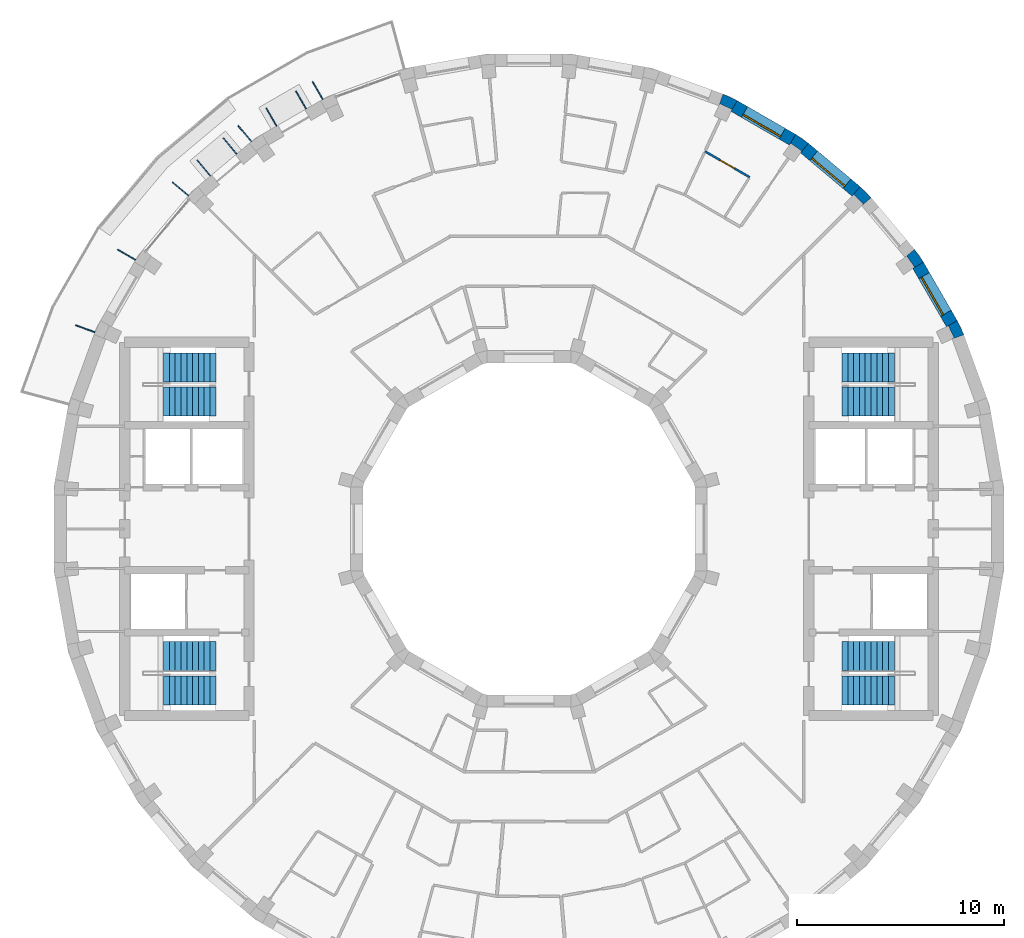
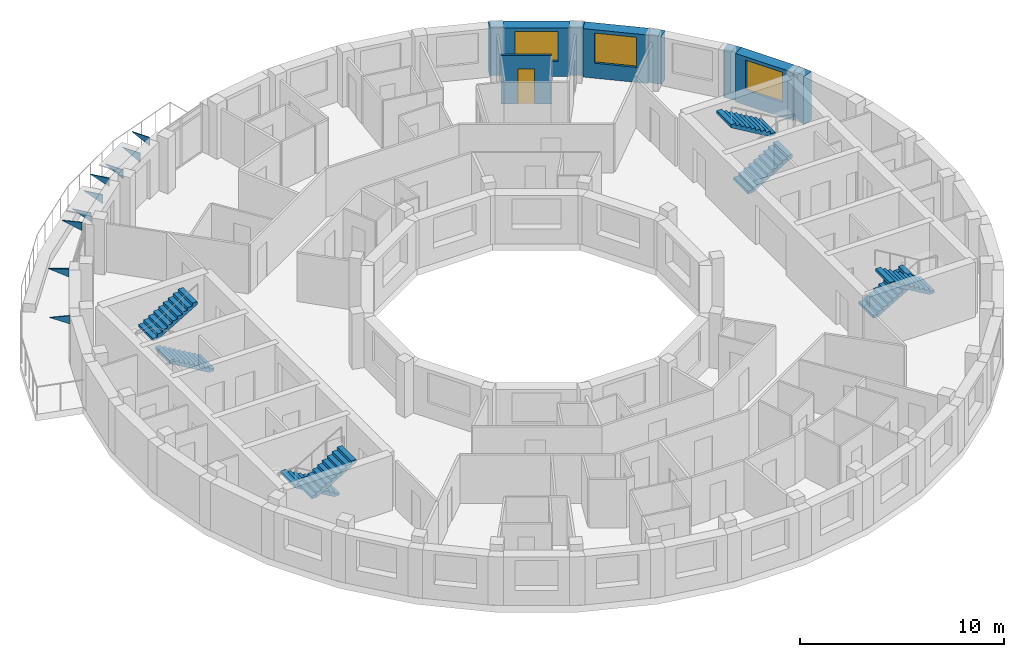
# One storey, part 11 of 12: 9 discrete accessories, 9 walls, 8 stair flights, 3 windows, 1 door, 4 openings, 4 elements without a shape of their own.
"""IFC4 building model written with IfcOpenShell, lengths in metres."""

from ifc_helpers import new_model, si_unit, direction, frame, frame_2d, origin, place, context, subcontext, project, spatial, polyline, rectangle, outline, extrude, material, layer, layer_set, type_object, element, fill, aggregate, save


model = new_model("IFC4")

# Units and contexts
model_context = context("Model", 3, precision=1e-05, world=origin(), true_north=direction((0.0, 1.0)))
body_context = subcontext(model_context, "Body", "Model", "MODEL_VIEW")
ifc_project = project(units=[si_unit("LENGTHUNIT", "METRE"), si_unit("AREAUNIT", "SQUARE_METRE"), si_unit("VOLUMEUNIT", "CUBIC_METRE"), si_unit("PLANEANGLEUNIT", "RADIAN"), si_unit("MASSUNIT", "GRAM", prefix="KILO")], contexts=[model_context])

# Site, building, storey
site_placement = place(None, origin())
site = spatial("IfcSite", under=ifc_project, at=site_placement, CompositionType="ELEMENT")
building_placement = place(site_placement, origin())
building = spatial("IfcBuilding", under=site, at=building_placement, Name="Saqina Gate Tower", CompositionType="ELEMENT")
storey_placement = place(building_placement, frame((0.0, 0.0, 229.699951171875)))
storey = spatial("IfcBuildingStorey", under=building, at=storey_placement, Name="L65", CompositionType="ELEMENT", Elevation=229.699951171875)

# Walls
ifc_material_1 = material(Name="Brick masonry (buff)", Category="masonry")
wall_type_1 = type_object("IfcWallType", Name="BRICK PIER COPING BUFF", PredefinedType="SOLIDWALL", material=ifc_material_1)
wall_1_placement = place(storey_placement, origin())
element("IfcWall", 1, at=wall_1_placement, inside=storey, type_object=wall_type_1, Name="Pier cap L65 column 3", PredefinedType="SOLIDWALL", context=body_context, shape_type="SweptSolid", body=[
    extrude(outline(polyline([(20.974609375, 9.3642578125), (20.65576171875, 10.048095703125), (20.135986328125, 9.748291015625), (20.23193359375, 9.79296875), (20.506591796875, 9.203857421875), (20.410888671875, 9.1591796875), (20.974609375, 9.3642578125)])), origin(), (0.0, 0.0, 1.0), 2.900146484375),
])
wall_2_placement = place(storey_placement, origin())
element("IfcWall", 2, at=wall_2_placement, inside=storey, type_object=wall_type_1, Name="Pier cap L65 column 4", PredefinedType="SOLIDWALL", context=body_context, shape_type="SweptSolid", body=[
    extrude(outline(polyline([(19.02978515625, 12.8642578125), (18.59716796875, 13.482421875), (18.137451171875, 13.0966796875), (18.22412109375, 13.157470703125), (18.596923828125, 12.625), (18.51025390625, 12.564208984375), (19.02978515625, 12.8642578125)])), origin(), (0.0, 0.0, 1.0), 2.900146484375),
])
wall_3_placement = place(storey_placement, origin())
element("IfcWall", 3, at=wall_3_placement, inside=storey, type_object=wall_type_1, Name="Pier cap L65 column 5", PredefinedType="SOLIDWALL", context=body_context, shape_type="SweptSolid", body=[
    extrude(outline(polyline([(15.973388671875, 16.5068359375), (15.587646484375, 16.04736328125), (15.662353515625, 16.1220703125), (16.1220703125, 15.662353515625), (16.04736328125, 15.587646484375), (16.5068359375, 15.973388671875), (15.973388671875, 16.5068359375)])), origin(), (0.0, 0.0, 1.0), 2.900146484375),
])
wall_4_placement = place(storey_placement, origin())
element("IfcWall", 4, at=wall_4_placement, inside=storey, type_object=wall_type_1, Name="Pier cap L65 column 6", PredefinedType="SOLIDWALL", context=body_context, shape_type="SweptSolid", body=[
    extrude(outline(polyline([(12.8642578125, 19.02978515625), (12.564208984375, 18.51025390625), (12.625, 18.596923828125), (13.157470703125, 18.22412109375), (13.0966796875, 18.137451171875), (13.482421875, 18.59716796875), (12.8642578125, 19.02978515625)])), origin(), (0.0, 0.0, 1.0), 2.900146484375),
])
wall_5_placement = place(storey_placement, origin())
element("IfcWall", 5, at=wall_5_placement, inside=storey, type_object=wall_type_1, Name="Pier cap L65 column 7", PredefinedType="SOLIDWALL", context=body_context, shape_type="SweptSolid", body=[
    extrude(outline(polyline([(10.048095703125, 20.65576171875), (9.3642578125, 20.974609375), (9.1591796875, 20.410888671875), (9.203857421875, 20.506591796875), (9.79296875, 20.23193359375), (9.748291015625, 20.135986328125), (10.048095703125, 20.65576171875)])), origin(), (0.0, 0.0, 1.0), 2.900146484375),
])

# Wall, opening, window
ifc_material_2 = material(Name="Brick masonry (buff)", Category="masonry")
ifc_layer_1 = layer(ifc_material_2, 0.60009765625)
ifc_layer_set_1 = layer_set([ifc_layer_1], Name="FW-BRICK-BUFF")
wall_type_2 = type_object("IfcWallType", Name="FW-BRICK-BUFF", PredefinedType="SOLIDWALL", material=ifc_layer_set_1)
wall_6_placement = place(storey_placement, frame((20.39599609375, 9.898193359375, 0.0), z_axis=(0.0, 0.0, 1.0), x_axis=(-0.500014901547, 0.866016800201, 0.0)))
wall_6 = element("IfcWall", 6, at=wall_6_placement, inside=storey, type_object=wall_type_2, Name="Facade wall L65 facet 3", PredefinedType="SOLIDWALL", context=body_context, shape_type="SweptSolid", body=[
    extrude(rectangle(XDim=3.251953125, YDim=0.60009765625, at=frame_2d((1.6259765625, 0.0))), origin(), (0.0, 0.0, 1.0), 2.900146484375),
])
opening_1_placement = place(wall_6_placement, frame((0.57568359375, 0.0, 0.89990234375)))
opening_1 = element("IfcOpeningElement", 7, at=opening_1_placement, cuts=wall_6, Name="Opening G19-W01", PredefinedType="OPENING", context=body_context, shape_type="SweptSolid", body=[
    extrude(rectangle(XDim=2.10009765625, YDim=1.800048828125, at=frame_2d((1.050048828125, 0.89990234375))), frame((0.0, 0.31201171875, 0.0), z_axis=(0.0, -1.0, 0.0), x_axis=(1.0, 0.0, 0.0)), (0.0, 0.0, 1.0), 0.6240234375),
])
ifc_material_3 = material(Name="Aluminium glazing", Category="aluminium")
window_type = type_object("IfcWindowType", Name="WN-D", PartitioningType="SINGLE_PANEL", PredefinedType="WINDOW", material=ifc_material_3)
window_1_placement = place(opening_1_placement, origin())
window_1 = element("IfcWindow", 8, at=window_1_placement, inside=storey, type_object=window_type, Name="Window L65 facet 3", OverallHeight=1.800048828125, OverallWidth=2.10009765625, PartitioningType="SINGLE_PANEL", PredefinedType="WINDOW", context=body_context, shape_type="SweptSolid", body=[
    extrude(rectangle(XDim=2.10009765625, YDim=1.800048828125, at=frame_2d((1.050048828125, 0.89990234375))), frame((0.0, 0.179931640625, 0.0), z_axis=(0.0, -1.0, 0.0), x_axis=(1.0, 0.0, 0.0)), (0.0, 0.0, 1.0), 0.06005859375),
])
fill(opening_1, window_1)

wall_7_placement = place(storey_placement, frame((15.780517578125, 16.277099609375, 0.0), z_axis=(0.0, 0.0, 1.0), x_axis=(-0.766056773982, 0.64277291405, 0.0)))
wall_7 = element("IfcWall", 9, at=wall_7_placement, inside=storey, type_object=wall_type_2, Name="Facade wall L65 facet 5", PredefinedType="SOLIDWALL", context=body_context, shape_type="SweptSolid", body=[
    extrude(rectangle(XDim=3.251708984375, YDim=0.60009765625, at=frame_2d((1.6259765625, 0.0))), origin(), (0.0, 0.0, 1.0), 2.900146484375),
])
opening_2_placement = place(wall_7_placement, frame((0.57568359375, 0.0, 0.89990234375)))
opening_2 = element("IfcOpeningElement", 10, at=opening_2_placement, cuts=wall_7, Name="Opening G19-W03", PredefinedType="OPENING", context=body_context, shape_type="SweptSolid", body=[
    extrude(rectangle(XDim=2.10009765625, YDim=1.800048828125, at=frame_2d((1.050048828125, 0.89990234375))), frame((0.0, 0.31201171875, 0.0), z_axis=(0.0, -1.0, 0.0), x_axis=(1.0, 0.0, 0.0)), (0.0, 0.0, 1.0), 0.6240234375),
])
window_2_placement = place(opening_2_placement, origin())
window_2 = element("IfcWindow", 11, at=window_2_placement, inside=storey, type_object=window_type, Name="Window L65 facet 5", OverallHeight=1.800048828125, OverallWidth=2.10009765625, PartitioningType="SINGLE_PANEL", PredefinedType="WINDOW", context=body_context, shape_type="SweptSolid", body=[
    extrude(rectangle(XDim=2.10009765625, YDim=1.800048828125, at=frame_2d((1.050048828125, 0.89990234375))), frame((0.0, 0.179931640625, 0.0), z_axis=(0.0, -1.0, 0.0), x_axis=(1.0, 0.0, 0.0)), (0.0, 0.0, 1.0), 0.06005859375),
])
fill(opening_2, window_2)

wall_8_placement = place(storey_placement, frame((12.71435546875, 18.77001953125, 0.0), z_axis=(0.0, 0.0, 1.0), x_axis=(-0.866016800201, 0.500014901547, 0.0)))
wall_8 = element("IfcWall", 12, at=wall_8_placement, inside=storey, type_object=wall_type_2, Name="Facade wall L65 facet 6", PredefinedType="SOLIDWALL", context=body_context, shape_type="SweptSolid", body=[
    extrude(rectangle(XDim=3.251953125, YDim=0.60009765625, at=frame_2d((1.6259765625, 0.0))), origin(), (0.0, 0.0, 1.0), 2.900146484375),
])
opening_3_placement = place(wall_8_placement, frame((0.57568359375, 0.0, 0.89990234375)))
opening_3 = element("IfcOpeningElement", 13, at=opening_3_placement, cuts=wall_8, Name="Opening G19-W04", PredefinedType="OPENING", context=body_context, shape_type="SweptSolid", body=[
    extrude(rectangle(XDim=2.10009765625, YDim=1.800048828125, at=frame_2d((1.050048828125, 0.89990234375))), frame((0.0, 0.31201171875, 0.0), z_axis=(0.0, -1.0, 0.0), x_axis=(1.0, 0.0, 0.0)), (0.0, 0.0, 1.0), 0.6240234375),
])
window_3_placement = place(opening_3_placement, origin())
window_3 = element("IfcWindow", 14, at=window_3_placement, inside=storey, type_object=window_type, Name="Window L65 facet 6", OverallHeight=1.800048828125, OverallWidth=2.10009765625, PartitioningType="SINGLE_PANEL", PredefinedType="WINDOW", context=body_context, shape_type="SweptSolid", body=[
    extrude(rectangle(XDim=2.10009765625, YDim=1.800048828125, at=frame_2d((1.050048828125, 0.89990234375))), frame((0.0, 0.179931640625, 0.0), z_axis=(0.0, -1.0, 0.0), x_axis=(1.0, 0.0, 0.0)), (0.0, 0.0, 1.0), 0.06005859375),
])
fill(opening_3, window_3)

# Wall, opening, door
ifc_material_4 = material(Name="Gypsum board on steel studs, 100 mm", Category="steel")
ifc_layer_2 = layer(ifc_material_4, 0.10009765625)
ifc_layer_set_2 = layer_set([ifc_layer_2], Name="PARTITION 100")
wall_type_3 = type_object("IfcWallType", Name="PARTITION 100", PredefinedType="PARTITIONING", material=ifc_layer_set_2)
wall_9_placement = place(storey_placement, frame((8.489990234375, 18.20703125, 0.0), z_axis=(0.0, 0.0, 1.0), x_axis=(0.866063163075, -0.499934593286, 0.0)))
wall_9 = element("IfcWall", 15, at=wall_9_placement, inside=storey, type_object=wall_type_3, Name="PARTITION PW3-19", PredefinedType="PARTITIONING", context=body_context, shape_type="SweptSolid", body=[
    extrude(rectangle(XDim=2.490478515625, YDim=0.10009765625, at=frame_2d((1.2451171875, 0.0))), origin(), (0.0, 0.0, 1.0), 2.900146484375),
])
opening_4_placement = place(wall_9_placement, frame((0.84521484375, 0.0, 0.0)))
opening_4 = element("IfcOpeningElement", 16, at=opening_4_placement, cuts=wall_9, Name="Opening G19-D06", PredefinedType="OPENING", context=body_context, shape_type="SweptSolid", body=[
    extrude(rectangle(XDim=0.800048828125, YDim=2.10009765625, at=frame_2d((0.39990234375, 1.050048828125))), frame((0.0, 0.06201171875, 0.0), z_axis=(0.0, -1.0, 0.0), x_axis=(1.0, 0.0, 0.0)), (0.0, 0.0, 1.0), 0.1240234375),
])
ifc_material_5 = material(Name="Timber door leaf, 800 mm", Category="wood")
door_type = type_object("IfcDoorType", Name="DOOR 800 TIMBER", OperationType="SINGLE_SWING_LEFT", PredefinedType="DOOR", material=ifc_material_5)
door_placement = place(opening_4_placement, origin())
door = element("IfcDoor", 17, at=door_placement, inside=storey, type_object=door_type, Name="DOOR G19-D06", OperationType="SINGLE_SWING_RIGHT", OverallHeight=2.10009765625, OverallWidth=0.800048828125, PredefinedType="DOOR", context=body_context, shape_type="SweptSolid", body=[
    extrude(rectangle(XDim=0.800048828125, YDim=2.10009765625, at=frame_2d((0.39990234375, 1.050048828125))), frame((0.0, 0.02490234375, 0.0), z_axis=(0.0, -1.0, 0.0), x_axis=(1.0, 0.0, 0.0)), (0.0, 0.0, 1.0), 0.050048828125),
])
fill(opening_4, door)

# Stair, stair flights
ifc_material_6 = material(Name="Concrete C40/50", Category="concrete")
stair_type = type_object("IfcStairType", Name="EXIT STAIR", PredefinedType="HALF_TURN_STAIR", material=ifc_material_6)
stair_1_placement = place(storey_placement, origin())
stair_1 = element("IfcStair", 18, at=stair_1_placement, inside=storey, type_object=stair_type, Name="EXIT STAIR 1", PredefinedType="HALF_TURN_STAIR")
ifc_material_7 = material(Name="Concrete C40/50", Category="concrete")
stair_flight_type = type_object("IfcStairFlightType", Name="EXIT STAIR FLIGHT", PredefinedType="STRAIGHT", material=ifc_material_7)
stair_flight_1_placement = place(storey_placement, frame((15.10009765625, 6.13330078125, 0.0), z_axis=(0.0, 0.0, 1.0), x_axis=(1.0, 0.0, 0.0)))
stair_flight_1 = element("IfcStairFlight", 19, at=stair_flight_1_placement, type_object=stair_flight_type, Name="EXIT STAIR 1 FLIGHT 1", NumberOfRisers=10, NumberOfTreads=9, PredefinedType="STRAIGHT", RiserHeight=0.165, TreadLength=0.28, context=body_context, shape_type="SweptSolid", body=[
    extrude(outline(polyline([(0.0, 0.0), (0.0, 0.1650390625), (0.280029296875, 0.1650390625), (0.280029296875, 0.330078125), (0.56005859375, 0.330078125), (0.56005859375, 0.4951171875), (0.840087890625, 0.4951171875), (0.840087890625, 0.659912109375), (1.1201171875, 0.659912109375), (1.1201171875, 0.824951171875), (1.39990234375, 0.824951171875), (1.39990234375, 0.989990234375), (1.679931640625, 0.989990234375), (1.679931640625, 1.155029296875), (1.9599609375, 1.155029296875), (1.9599609375, 1.320068359375), (2.239990234375, 1.320068359375), (2.239990234375, 1.485107421875), (2.52001953125, 1.485107421875), (2.52001953125, 1.64990234375), (2.52001953125, 1.31103515625), (0.295166015625, 0.0), (0.0, 0.0)])), frame((0.0, 0.699951171875, 0.0), z_axis=(0.0, -1.0, 0.0), x_axis=(1.0, 0.0, 0.0)), (0.0, 0.0, 1.0), 1.39990234375),
])
stair_flight_2_placement = place(storey_placement, frame((17.6201171875, 7.791748046875, 1.650146484375), z_axis=(0.0, 0.0, 1.0), x_axis=(-1.0, 0.0, 0.0)))
stair_flight_2 = element("IfcStairFlight", 20, at=stair_flight_2_placement, type_object=stair_flight_type, Name="EXIT STAIR 1 FLIGHT 2", NumberOfRisers=10, NumberOfTreads=9, PredefinedType="STRAIGHT", RiserHeight=0.165, TreadLength=0.28, context=body_context, shape_type="SweptSolid", body=[
    extrude(outline(polyline([(0.0, 0.0), (0.0, 0.1650390625), (0.280029296875, 0.1650390625), (0.280029296875, 0.330078125), (0.56005859375, 0.330078125), (0.56005859375, 0.4951171875), (0.840087890625, 0.4951171875), (0.840087890625, 0.659912109375), (1.1201171875, 0.659912109375), (1.1201171875, 0.824951171875), (1.39990234375, 0.824951171875), (1.39990234375, 0.989990234375), (1.679931640625, 0.989990234375), (1.679931640625, 1.155029296875), (1.9599609375, 1.155029296875), (1.9599609375, 1.320068359375), (2.239990234375, 1.320068359375), (2.239990234375, 1.485107421875), (2.52001953125, 1.485107421875), (2.52001953125, 1.64990234375), (2.52001953125, 1.31103515625), (0.295166015625, 0.0), (0.0, 0.0)])), frame((0.0, 0.699951171875, 0.0), z_axis=(0.0, -1.0, 0.0), x_axis=(1.0, 0.0, 0.0)), (0.0, 0.0, 1.0), 1.39990234375),
])
aggregate(stair_1, [stair_flight_1, stair_flight_2])

stair_2_placement = place(storey_placement, origin())
stair_2 = element("IfcStair", 21, at=stair_2_placement, inside=storey, type_object=stair_type, Name="EXIT STAIR 2", PredefinedType="HALF_TURN_STAIR")
stair_flight_3_placement = place(storey_placement, frame((15.10009765625, -6.13330078125, 0.0), z_axis=(0.0, 0.0, 1.0), x_axis=(1.0, 0.0, 0.0)))
stair_flight_3 = element("IfcStairFlight", 22, at=stair_flight_3_placement, type_object=stair_flight_type, Name="EXIT STAIR 2 FLIGHT 1", NumberOfRisers=10, NumberOfTreads=9, PredefinedType="STRAIGHT", RiserHeight=0.165, TreadLength=0.28, context=body_context, shape_type="SweptSolid", body=[
    extrude(outline(polyline([(0.0, 0.0), (0.0, 0.1650390625), (0.280029296875, 0.1650390625), (0.280029296875, 0.330078125), (0.56005859375, 0.330078125), (0.56005859375, 0.4951171875), (0.840087890625, 0.4951171875), (0.840087890625, 0.659912109375), (1.1201171875, 0.659912109375), (1.1201171875, 0.824951171875), (1.39990234375, 0.824951171875), (1.39990234375, 0.989990234375), (1.679931640625, 0.989990234375), (1.679931640625, 1.155029296875), (1.9599609375, 1.155029296875), (1.9599609375, 1.320068359375), (2.239990234375, 1.320068359375), (2.239990234375, 1.485107421875), (2.52001953125, 1.485107421875), (2.52001953125, 1.64990234375), (2.52001953125, 1.31103515625), (0.295166015625, 0.0), (0.0, 0.0)])), frame((0.0, 0.699951171875, 0.0), z_axis=(0.0, -1.0, 0.0), x_axis=(1.0, 0.0, 0.0)), (0.0, 0.0, 1.0), 1.39990234375),
])
stair_flight_4_placement = place(storey_placement, frame((17.6201171875, -7.791748046875, 1.650146484375), z_axis=(0.0, 0.0, 1.0), x_axis=(-1.0, 0.0, 0.0)))
stair_flight_4 = element("IfcStairFlight", 23, at=stair_flight_4_placement, type_object=stair_flight_type, Name="EXIT STAIR 2 FLIGHT 2", NumberOfRisers=10, NumberOfTreads=9, PredefinedType="STRAIGHT", RiserHeight=0.165, TreadLength=0.28, context=body_context, shape_type="SweptSolid", body=[
    extrude(outline(polyline([(0.0, 0.0), (0.0, 0.1650390625), (0.280029296875, 0.1650390625), (0.280029296875, 0.330078125), (0.56005859375, 0.330078125), (0.56005859375, 0.4951171875), (0.840087890625, 0.4951171875), (0.840087890625, 0.659912109375), (1.1201171875, 0.659912109375), (1.1201171875, 0.824951171875), (1.39990234375, 0.824951171875), (1.39990234375, 0.989990234375), (1.679931640625, 0.989990234375), (1.679931640625, 1.155029296875), (1.9599609375, 1.155029296875), (1.9599609375, 1.320068359375), (2.239990234375, 1.320068359375), (2.239990234375, 1.485107421875), (2.52001953125, 1.485107421875), (2.52001953125, 1.64990234375), (2.52001953125, 1.31103515625), (0.295166015625, 0.0), (0.0, 0.0)])), frame((0.0, 0.699951171875, 0.0), z_axis=(0.0, -1.0, 0.0), x_axis=(1.0, 0.0, 0.0)), (0.0, 0.0, 1.0), 1.39990234375),
])
aggregate(stair_2, [stair_flight_3, stair_flight_4])

stair_3_placement = place(storey_placement, origin())
stair_3 = element("IfcStair", 24, at=stair_3_placement, inside=storey, type_object=stair_type, Name="EXIT STAIR 3", PredefinedType="HALF_TURN_STAIR")
stair_flight_5_placement = place(storey_placement, frame((-15.10009765625, 6.13330078125, 0.0), z_axis=(0.0, 0.0, 1.0), x_axis=(-1.0, 0.0, 0.0)))
stair_flight_5 = element("IfcStairFlight", 25, at=stair_flight_5_placement, type_object=stair_flight_type, Name="EXIT STAIR 3 FLIGHT 1", NumberOfRisers=10, NumberOfTreads=9, PredefinedType="STRAIGHT", RiserHeight=0.165, TreadLength=0.28, context=body_context, shape_type="SweptSolid", body=[
    extrude(outline(polyline([(0.0, 0.0), (0.0, 0.1650390625), (0.280029296875, 0.1650390625), (0.280029296875, 0.330078125), (0.56005859375, 0.330078125), (0.56005859375, 0.4951171875), (0.840087890625, 0.4951171875), (0.840087890625, 0.659912109375), (1.1201171875, 0.659912109375), (1.1201171875, 0.824951171875), (1.39990234375, 0.824951171875), (1.39990234375, 0.989990234375), (1.679931640625, 0.989990234375), (1.679931640625, 1.155029296875), (1.9599609375, 1.155029296875), (1.9599609375, 1.320068359375), (2.239990234375, 1.320068359375), (2.239990234375, 1.485107421875), (2.52001953125, 1.485107421875), (2.52001953125, 1.64990234375), (2.52001953125, 1.31103515625), (0.295166015625, 0.0), (0.0, 0.0)])), frame((0.0, 0.699951171875, 0.0), z_axis=(0.0, -1.0, 0.0), x_axis=(1.0, 0.0, 0.0)), (0.0, 0.0, 1.0), 1.39990234375),
])
stair_flight_6_placement = place(storey_placement, frame((-17.6201171875, 7.791748046875, 1.650146484375), z_axis=(0.0, 0.0, 1.0), x_axis=(1.0, 0.0, 0.0)))
stair_flight_6 = element("IfcStairFlight", 26, at=stair_flight_6_placement, type_object=stair_flight_type, Name="EXIT STAIR 3 FLIGHT 2", NumberOfRisers=10, NumberOfTreads=9, PredefinedType="STRAIGHT", RiserHeight=0.165, TreadLength=0.28, context=body_context, shape_type="SweptSolid", body=[
    extrude(outline(polyline([(0.0, 0.0), (0.0, 0.1650390625), (0.280029296875, 0.1650390625), (0.280029296875, 0.330078125), (0.56005859375, 0.330078125), (0.56005859375, 0.4951171875), (0.840087890625, 0.4951171875), (0.840087890625, 0.659912109375), (1.1201171875, 0.659912109375), (1.1201171875, 0.824951171875), (1.39990234375, 0.824951171875), (1.39990234375, 0.989990234375), (1.679931640625, 0.989990234375), (1.679931640625, 1.155029296875), (1.9599609375, 1.155029296875), (1.9599609375, 1.320068359375), (2.239990234375, 1.320068359375), (2.239990234375, 1.485107421875), (2.52001953125, 1.485107421875), (2.52001953125, 1.64990234375), (2.52001953125, 1.31103515625), (0.295166015625, 0.0), (0.0, 0.0)])), frame((0.0, 0.699951171875, 0.0), z_axis=(0.0, -1.0, 0.0), x_axis=(1.0, 0.0, 0.0)), (0.0, 0.0, 1.0), 1.39990234375),
])
aggregate(stair_3, [stair_flight_5, stair_flight_6])

stair_4_placement = place(storey_placement, origin())
stair_4 = element("IfcStair", 27, at=stair_4_placement, inside=storey, type_object=stair_type, Name="EXIT STAIR 4", PredefinedType="HALF_TURN_STAIR")
stair_flight_7_placement = place(storey_placement, frame((-15.10009765625, -6.13330078125, 0.0), z_axis=(0.0, 0.0, 1.0), x_axis=(-1.0, 0.0, 0.0)))
stair_flight_7 = element("IfcStairFlight", 28, at=stair_flight_7_placement, type_object=stair_flight_type, Name="EXIT STAIR 4 FLIGHT 1", NumberOfRisers=10, NumberOfTreads=9, PredefinedType="STRAIGHT", RiserHeight=0.165, TreadLength=0.28, context=body_context, shape_type="SweptSolid", body=[
    extrude(outline(polyline([(0.0, 0.0), (0.0, 0.1650390625), (0.280029296875, 0.1650390625), (0.280029296875, 0.330078125), (0.56005859375, 0.330078125), (0.56005859375, 0.4951171875), (0.840087890625, 0.4951171875), (0.840087890625, 0.659912109375), (1.1201171875, 0.659912109375), (1.1201171875, 0.824951171875), (1.39990234375, 0.824951171875), (1.39990234375, 0.989990234375), (1.679931640625, 0.989990234375), (1.679931640625, 1.155029296875), (1.9599609375, 1.155029296875), (1.9599609375, 1.320068359375), (2.239990234375, 1.320068359375), (2.239990234375, 1.485107421875), (2.52001953125, 1.485107421875), (2.52001953125, 1.64990234375), (2.52001953125, 1.31103515625), (0.295166015625, 0.0), (0.0, 0.0)])), frame((0.0, 0.699951171875, 0.0), z_axis=(0.0, -1.0, 0.0), x_axis=(1.0, 0.0, 0.0)), (0.0, 0.0, 1.0), 1.39990234375),
])
stair_flight_8_placement = place(storey_placement, frame((-17.6201171875, -7.791748046875, 1.650146484375), z_axis=(0.0, 0.0, 1.0), x_axis=(1.0, 0.0, 0.0)))
stair_flight_8 = element("IfcStairFlight", 29, at=stair_flight_8_placement, type_object=stair_flight_type, Name="EXIT STAIR 4 FLIGHT 2", NumberOfRisers=10, NumberOfTreads=9, PredefinedType="STRAIGHT", RiserHeight=0.165, TreadLength=0.28, context=body_context, shape_type="SweptSolid", body=[
    extrude(outline(polyline([(0.0, 0.0), (0.0, 0.1650390625), (0.280029296875, 0.1650390625), (0.280029296875, 0.330078125), (0.56005859375, 0.330078125), (0.56005859375, 0.4951171875), (0.840087890625, 0.4951171875), (0.840087890625, 0.659912109375), (1.1201171875, 0.659912109375), (1.1201171875, 0.824951171875), (1.39990234375, 0.824951171875), (1.39990234375, 0.989990234375), (1.679931640625, 0.989990234375), (1.679931640625, 1.155029296875), (1.9599609375, 1.155029296875), (1.9599609375, 1.320068359375), (2.239990234375, 1.320068359375), (2.239990234375, 1.485107421875), (2.52001953125, 1.485107421875), (2.52001953125, 1.64990234375), (2.52001953125, 1.31103515625), (0.295166015625, 0.0), (0.0, 0.0)])), frame((0.0, 0.699951171875, 0.0), z_axis=(0.0, -1.0, 0.0), x_axis=(1.0, 0.0, 0.0)), (0.0, 0.0, 1.0), 1.39990234375),
])
aggregate(stair_4, [stair_flight_7, stair_flight_8])

# Discrete accessories
ifc_material_8 = material(Name="Galvanised steel", Category="steel")
ifc_layer_3 = layer(ifc_material_8, 0.050048828125)
ifc_layer_set_3 = layer_set([ifc_layer_3], Name="BR-AWNING")
discrete_accessory_type_1 = type_object("IfcDiscreteAccessoryType", Name="BR-AWNING", PredefinedType="BRACKET", material=ifc_layer_set_3)
for number, where, z_axis, x_axis, name in (
    (30, (-10.7626953125, 20.2431640625, 1.97509765625), (-0.866010750942, -0.50002537861, 0.0), (0.0, 0.0, 1.0), "Awning bracket L65 facet 12"),
    (31, (-12.193115234375, 19.41748046875, 1.97509765625), (-0.866010750942, -0.50002537861, 0.0), (0.0, 0.0, 1.0), "Awning bracket L65 facet 12"),
):
    element("IfcDiscreteAccessory", number, at=place(storey_placement, frame(where, z_axis=z_axis, x_axis=x_axis)), inside=storey, type_object=discrete_accessory_type_1, Name=name, PredefinedType="BRACKET", context=body_context, shape_type="SweptSolid", body=[
        extrude(outline(polyline([(0.0, 0.0), (0.550048828125, 0.0), (0.550048828125, 0.9999492453569568), (0.0, 0.0)])), origin(), (0.0, 0.0, -1.0), 0.050048828125),
    ])
discrete_accessory_1_placement = place(storey_placement, frame((-14.114501953125, 18.06689453125, 1.97509765625), z_axis=(-0.766075170812, -0.64275098807, 0.0), x_axis=(0.0, 0.0, 1.0)))
element("IfcDiscreteAccessory", 32, at=discrete_accessory_1_placement, inside=storey, type_object=discrete_accessory_type_1, Name="Awning bracket L65 facet 13", PredefinedType="BRACKET", context=body_context, shape_type="SweptSolid", body=[
    extrude(outline(polyline([(0.0, 0.0), (0.550048828125, 0.0), (0.550048828125, 0.9997310574800564), (0.0, 0.0)])), origin(), (0.0, 0.0, -1.0), 0.050048828125),
])
discrete_accessory_2_placement = place(storey_placement, frame((-15.379638671875, 17.005126953125, 1.97509765625), z_axis=(-0.765954930181, -0.642894271969, 0.0), x_axis=(0.0, 0.0, 1.0)))
element("IfcDiscreteAccessory", 33, at=discrete_accessory_2_placement, inside=storey, type_object=discrete_accessory_type_1, Name="Awning bracket L65 facet 13", PredefinedType="BRACKET", context=body_context, shape_type="SweptSolid", body=[
    extrude(outline(polyline([(0.0, 0.0), (0.550048828125, 0.0), (0.550048828125, 0.9998879966000863), (0.0, 0.0)])), origin(), (0.0, 0.0, -1.0), 0.050048828125),
])
ifc_material_9 = material(Name="Galvanised steel", Category="steel")
ifc_layer_4 = layer(ifc_material_9, 0.050048828125)
ifc_layer_set_4 = layer_set([ifc_layer_4], Name="BR-GUSSET")
discrete_accessory_type_2 = type_object("IfcDiscreteAccessoryType", Name="BR-GUSSET", PredefinedType="BRACKET", material=ifc_layer_set_4)
discrete_accessory_3_placement = place(storey_placement, frame((-9.95849609375, 20.70751953125, 2.400146484375), z_axis=(-0.866010750942, -0.50002537861, 0.0), x_axis=(0.0, 0.0, 1.0)))
element("IfcDiscreteAccessory", 34, at=discrete_accessory_3_placement, inside=storey, type_object=discrete_accessory_type_2, Name="Terrace slab bracket L66 1", PredefinedType="BRACKET", context=body_context, shape_type="SweptSolid", body=[
    extrude(outline(polyline([(0.0, 0.0), (0.5, 0.0), (0.5, 0.9999492453569568), (0.0, 0.0)])), origin(), (0.0, 0.0, -1.0), 0.050048828125),
])
discrete_accessory_4_placement = place(storey_placement, frame((-13.40283203125, 18.663818359375, 2.400146484375), z_axis=(-0.765954930181, -0.642894271969, 0.0), x_axis=(0.0, 0.0, 1.0)))
element("IfcDiscreteAccessory", 35, at=discrete_accessory_4_placement, inside=storey, type_object=discrete_accessory_type_2, Name="Terrace slab bracket L66 2", PredefinedType="BRACKET", context=body_context, shape_type="SweptSolid", body=[
    extrude(outline(polyline([(0.0, 0.0), (0.5, 0.0), (0.5, 0.9998879966000863), (0.0, 0.0)])), origin(), (0.0, 0.0, -1.0), 0.050048828125),
])
discrete_accessory_5_placement = place(storey_placement, frame((-16.440185546875, 16.052734375, 2.400146484375), z_axis=(-0.64277405138, -0.766055819685, 0.0), x_axis=(0.0, 0.0, 1.0)))
element("IfcDiscreteAccessory", 36, at=discrete_accessory_5_placement, inside=storey, type_object=discrete_accessory_type_2, Name="Terrace slab bracket L66 3", PredefinedType="BRACKET", context=body_context, shape_type="SweptSolid", body=[
    extrude(outline(polyline([(0.0, 0.0), (0.5, 0.0), (0.5, 1.0000750096322275), (0.0, 0.0)])), origin(), (0.0, 0.0, -1.0), 0.050048828125),
])
discrete_accessory_6_placement = place(storey_placement, frame((-18.97802734375, 12.9541015625, 2.400146484375), z_axis=(-0.50002537861, -0.866010750942, 0.0), x_axis=(0.0, 0.0, 1.0)))
element("IfcDiscreteAccessory", 37, at=discrete_accessory_6_placement, inside=storey, type_object=discrete_accessory_type_2, Name="Terrace slab bracket L66 4", PredefinedType="BRACKET", context=body_context, shape_type="SweptSolid", body=[
    extrude(outline(polyline([(0.0, 0.0), (0.5, 0.0), (0.5, 0.9999492453569568), (0.0, 0.0)])), origin(), (0.0, 0.0, -1.0), 0.050048828125),
])
discrete_accessory_7_placement = place(storey_placement, frame((-20.939208984375, 9.4619140625, 2.400146484375), z_axis=(-0.341821477669, -0.939764905391, 0.0), x_axis=(0.0, 0.0, 1.0)))
element("IfcDiscreteAccessory", 38, at=discrete_accessory_7_placement, inside=storey, type_object=discrete_accessory_type_2, Name="Terrace slab bracket L66 5", PredefinedType="BRACKET", context=body_context, shape_type="SweptSolid", body=[
    extrude(outline(polyline([(0.0, 0.0), (0.5, 0.0), (0.5, 0.999928024801219), (0.0, 0.0)])), origin(), (0.0, 0.0, -1.0), 0.050048828125),
])

save(model, "model.ifc")
